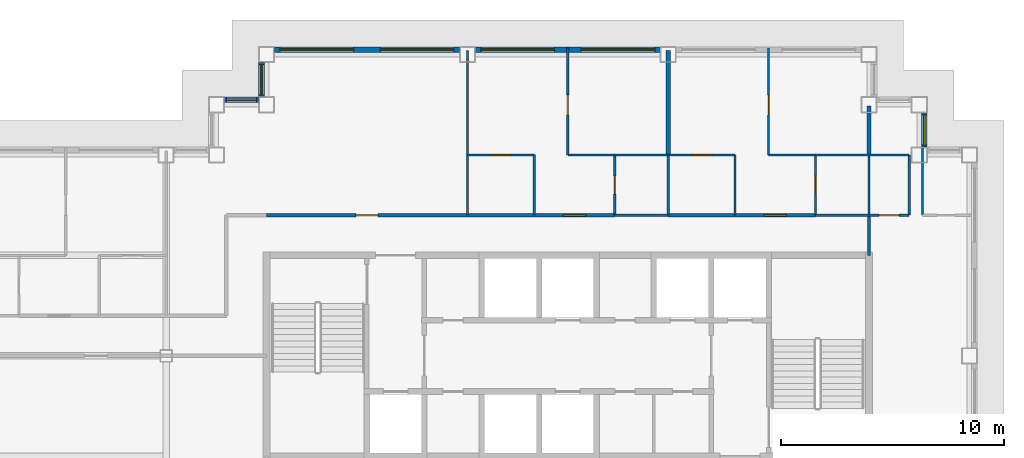
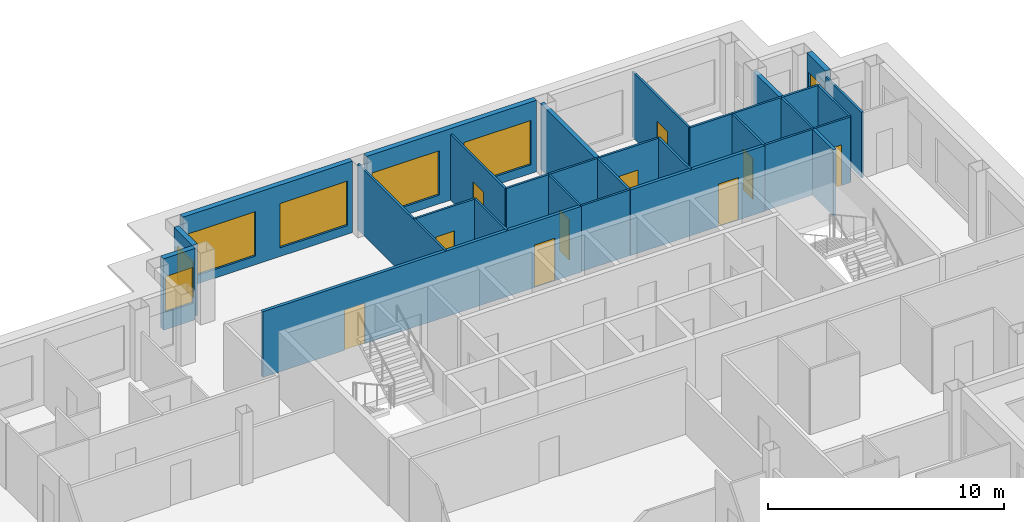
# One storey, part 7 of 12: 31 walls, 10 doors, 7 windows, 17 openings.
"""IFC4 building model written with IfcOpenShell, lengths in metres."""

from ifc_helpers import new_model, si_unit, direction, frame, frame_2d, origin, place, context, subcontext, project, spatial, rectangle, extrude, material, layer, layer_set, type_object, element, fill, save


model = new_model("IFC4")

# Units and contexts
model_context = context("Model", 3, precision=1e-05, world=origin(), true_north=direction((0.0, 1.0)))
body_context = subcontext(model_context, "Body", "Model", "MODEL_VIEW")
ifc_project = project(units=[si_unit("LENGTHUNIT", "METRE"), si_unit("AREAUNIT", "SQUARE_METRE"), si_unit("VOLUMEUNIT", "CUBIC_METRE"), si_unit("PLANEANGLEUNIT", "RADIAN"), si_unit("MASSUNIT", "GRAM", prefix="KILO")], contexts=[model_context])

# Site, building, storey
site_placement = place(None, origin())
site = spatial("IfcSite", under=ifc_project, at=site_placement, CompositionType="ELEMENT")
building_placement = place(site_placement, origin())
building = spatial("IfcBuilding", under=site, at=building_placement, Name="Caravel Reach Hotel and Residences", CompositionType="ELEMENT")
storey_placement = place(building_placement, frame((0.0, 0.0, 196.10009765625)))
storey = spatial("IfcBuildingStorey", under=building, at=storey_placement, Name="L49", CompositionType="ELEMENT", Elevation=196.10009765625)

# Walls
ifc_material_1 = material(Name="Gypsum board on steel stud", Category="steel")
ifc_layer_1 = layer(ifc_material_1, 0.10009765625)
ifc_layer_set_1 = layer_set([ifc_layer_1], Name="Bathroom pod wall 100 mm")
wall_type_1 = type_object("IfcWallType", Name="Bathroom pod wall 100 mm", PredefinedType="PARTITIONING", material=ifc_layer_set_1)
for number, where, z_axis, x_axis, name in (
    (1, (33.60009765625, 33.300048828125, 0.0), (0.0, 0.0, 1.0), (1.0, 0.0, 0.0), "L49 wall w083"),
    (2, (42.60009765625, 33.300048828125, 0.0), (0.0, 0.0, 1.0), (1.0, 0.0, 0.0), "L49 wall w084"),
    (3, (33.60009765625, 36.0, 0.0), (0.0, 0.0, 1.0), (1.0, 0.0, 0.0), "L49 wall w086"),
    (4, (42.60009765625, 36.0, 0.0), (0.0, 0.0, 1.0), (1.0, 0.0, 0.0), "L49 wall w087"),
):
    element("IfcWall", number, at=place(storey_placement, frame(where, z_axis=z_axis, x_axis=x_axis)), inside=storey, type_object=wall_type_1, Name=name, PredefinedType="PARTITIONING", context=body_context, shape_type="SweptSolid", body=[
        extrude(rectangle(XDim=2.39990234375, YDim=0.10009765625, at=frame_2d((1.199951171875, 0.0))), origin(), (0.0, 0.0, 1.0), 3.39990234375),
    ])

# Wall, opening, door
wall_1_placement = place(storey_placement, frame((33.60009765625, 33.300048828125, 0.0), z_axis=(0.0, 0.0, 1.0), x_axis=(0.0, 1.0, 0.0)))
wall_1 = element("IfcWall", 5, at=wall_1_placement, inside=storey, type_object=wall_type_1, Name="L49 wall w098", PredefinedType="PARTITIONING", context=body_context, shape_type="SweptSolid", body=[
    extrude(rectangle(XDim=2.699951171875, YDim=0.10009765625, at=frame_2d((1.35009765625, 0.0))), origin(), (0.0, 0.0, 1.0), 3.39990234375),
])
opening_1_placement = place(wall_1_placement, frame((0.949951171875, 0.0, 0.0)))
opening_1 = element("IfcOpeningElement", 6, at=opening_1_placement, cuts=wall_1, Name="Opening D49-020", PredefinedType="OPENING", context=body_context, shape_type="SweptSolid", body=[
    extrude(rectangle(XDim=0.800048828125, YDim=2.10009765625, at=frame_2d((0.39990234375, 1.050048828125))), frame((0.0, 0.06005859375, 0.0), z_axis=(0.0, -1.0, 0.0), x_axis=(1.0, 0.0, 0.0)), (0.0, 0.0, 1.0), 0.1201171875),
])
ifc_material_2 = material(Name="Timber and steel door leaf", Category="steel")
door_type_1 = type_object("IfcDoorType", Name="Bathroom door 800 x 2100", OperationType="SINGLE_SWING_LEFT", PredefinedType="DOOR", material=ifc_material_2)
door_1_placement = place(opening_1_placement, origin())
door_1 = element("IfcDoor", 7, at=door_1_placement, inside=storey, type_object=door_type_1, Name="door D49-020", OperationType="SINGLE_SWING_LEFT", OverallHeight=2.10009765625, OverallWidth=0.800048828125, PredefinedType="DOOR", context=body_context, shape_type="SweptSolid", body=[
    extrude(rectangle(XDim=0.800048828125, YDim=2.10009765625, at=frame_2d((0.39990234375, 1.050048828125))), frame((0.0, 0.02490234375, 0.0), z_axis=(0.0, -1.0, 0.0), x_axis=(1.0, 0.0, 0.0)), (0.0, 0.0, 1.0), 0.050048828125),
])
fill(opening_1, door_1)

# Wall
wall_2_placement = place(storey_placement, frame((36.0, 33.300048828125, 0.0), z_axis=(0.0, 0.0, 1.0), x_axis=(0.0, 1.0, 0.0)))
element("IfcWall", 8, at=wall_2_placement, inside=storey, type_object=wall_type_1, Name="L49 wall w099", PredefinedType="PARTITIONING", context=body_context, shape_type="SweptSolid", body=[
    extrude(rectangle(XDim=2.699951171875, YDim=0.10009765625, at=frame_2d((1.35009765625, 0.0))), origin(), (0.0, 0.0, 1.0), 3.39990234375),
])

# Wall, opening, door
wall_3_placement = place(storey_placement, frame((42.60009765625, 33.300048828125, 0.0), z_axis=(0.0, 0.0, 1.0), x_axis=(0.0, 1.0, 0.0)))
wall_3 = element("IfcWall", 9, at=wall_3_placement, inside=storey, type_object=wall_type_1, Name="L49 wall w104", PredefinedType="PARTITIONING", context=body_context, shape_type="SweptSolid", body=[
    extrude(rectangle(XDim=2.699951171875, YDim=0.10009765625, at=frame_2d((1.35009765625, 0.0))), origin(), (0.0, 0.0, 1.0), 3.39990234375),
])
opening_2_placement = place(wall_3_placement, frame((0.949951171875, 0.0, 0.0)))
opening_2 = element("IfcOpeningElement", 10, at=opening_2_placement, cuts=wall_3, Name="Opening D49-024", PredefinedType="OPENING", context=body_context, shape_type="SweptSolid", body=[
    extrude(rectangle(XDim=0.800048828125, YDim=2.10009765625, at=frame_2d((0.39990234375, 1.050048828125))), frame((0.0, 0.06005859375, 0.0), z_axis=(0.0, -1.0, 0.0), x_axis=(1.0, 0.0, 0.0)), (0.0, 0.0, 1.0), 0.1201171875),
])
door_2_placement = place(opening_2_placement, origin())
door_2 = element("IfcDoor", 11, at=door_2_placement, inside=storey, type_object=door_type_1, Name="door D49-024", OperationType="SINGLE_SWING_RIGHT", OverallHeight=2.10009765625, OverallWidth=0.800048828125, PredefinedType="DOOR", context=body_context, shape_type="SweptSolid", body=[
    extrude(rectangle(XDim=0.800048828125, YDim=2.10009765625, at=frame_2d((0.39990234375, 1.050048828125))), frame((0.0, 0.02490234375, 0.0), z_axis=(0.0, -1.0, 0.0), x_axis=(1.0, 0.0, 0.0)), (0.0, 0.0, 1.0), 0.050048828125),
])
fill(opening_2, door_2)

# Walls
wall_4_placement = place(storey_placement, frame((45.0, 33.300048828125, 0.0), z_axis=(0.0, 0.0, 1.0), x_axis=(0.0, 1.0, 0.0)))
element("IfcWall", 12, at=wall_4_placement, inside=storey, type_object=wall_type_1, Name="L49 wall w105", PredefinedType="PARTITIONING", context=body_context, shape_type="SweptSolid", body=[
    extrude(rectangle(XDim=2.699951171875, YDim=0.10009765625, at=frame_2d((1.35009765625, 0.0))), origin(), (0.0, 0.0, 1.0), 3.39990234375),
])
wall_5_placement = place(storey_placement, frame((47.39990234375, 33.300048828125, 0.0), z_axis=(0.0, 0.0, 1.0), x_axis=(0.0, 1.0, 0.0)))
element("IfcWall", 13, at=wall_5_placement, inside=storey, type_object=wall_type_1, Name="L49 wall w106", PredefinedType="PARTITIONING", context=body_context, shape_type="SweptSolid", body=[
    extrude(rectangle(XDim=3.050048828125, YDim=0.10009765625, at=frame_2d((1.52490234375, 0.0))), origin(), (0.0, 0.0, 1.0), 3.39990234375),
])

# Wall, openings, doors
ifc_material_3 = material(Name="Gypsum board on steel stud, fire-rated", Category="steel")
ifc_layer_2 = layer(ifc_material_3, 0.14990234375)
ifc_layer_set_2 = layer_set([ifc_layer_2], Name="Corridor wall 150 mm EI 60")
wall_type_2 = type_object("IfcWallType", Name="Corridor wall 150 mm EI 60", PredefinedType="PARTITIONING", material=ifc_layer_set_2)
wall_6_placement = place(storey_placement, frame((18.0, 33.300048828125, 0.0), z_axis=(0.0, 0.0, 1.0), x_axis=(1.0, 0.0, 0.0)))
wall_6 = element("IfcWall", 14, at=wall_6_placement, inside=storey, type_object=wall_type_2, Name="L49 wall w012", PredefinedType="PARTITIONING", context=body_context, shape_type="SweptSolid", body=[
    extrude(rectangle(XDim=15.60009765625, YDim=0.14990234375, at=frame_2d((7.800048828125, 0.0))), origin(), (0.0, 0.0, 1.0), 3.39990234375),
])
opening_3_placement = place(wall_6_placement, frame((4.0, 0.0, 0.0)))
opening_3 = element("IfcOpeningElement", 15, at=opening_3_placement, cuts=wall_6, Name="Opening D49-017", PredefinedType="OPENING", context=body_context, shape_type="SweptSolid", body=[
    extrude(rectangle(XDim=1.0, YDim=2.10009765625, at=frame_2d((0.5, 1.050048828125))), frame((0.0, 0.0849609375, 0.0), z_axis=(0.0, -1.0, 0.0), x_axis=(1.0, 0.0, 0.0)), (0.0, 0.0, 1.0), 0.169921875),
])
opening_4_placement = place(wall_6_placement, frame((13.300048828125, 0.0, 0.0)))
opening_4 = element("IfcOpeningElement", 16, at=opening_4_placement, cuts=wall_6, Name="Opening D49-018", PredefinedType="OPENING", context=body_context, shape_type="SweptSolid", body=[
    extrude(rectangle(XDim=1.0, YDim=2.199951171875, at=frame_2d((0.5, 1.10009765625))), frame((0.0, 0.0849609375, 0.0), z_axis=(0.0, -1.0, 0.0), x_axis=(1.0, 0.0, 0.0)), (0.0, 0.0, 1.0), 0.169921875),
])
ifc_material_4 = material(Name="Steel fire door leaf", Category="steel")
door_type_2 = type_object("IfcDoorType", Name="Fire door 1000 x 2100 EI 60", OperationType="SINGLE_SWING_LEFT", PredefinedType="DOOR", material=ifc_material_4)
door_3_placement = place(opening_3_placement, origin())
door_3 = element("IfcDoor", 17, at=door_3_placement, inside=storey, type_object=door_type_2, Name="door D49-017", OperationType="SINGLE_SWING_LEFT", OverallHeight=2.10009765625, OverallWidth=1.0, PredefinedType="DOOR", context=body_context, shape_type="SweptSolid", body=[
    extrude(rectangle(XDim=1.0, YDim=2.10009765625, at=frame_2d((0.5, 1.050048828125))), frame((0.0, 0.02490234375, 0.0), z_axis=(0.0, -1.0, 0.0), x_axis=(1.0, 0.0, 0.0)), (0.0, 0.0, 1.0), 0.050048828125),
])
fill(opening_3, door_3)
ifc_material_5 = material(Name="Steel fire door leaf", Category="steel")
door_type_3 = type_object("IfcDoorType", Name="Flat entrance door 1000 x 2200 EI 60", OperationType="SINGLE_SWING_LEFT", PredefinedType="DOOR", material=ifc_material_5)
door_4_placement = place(opening_4_placement, origin())
door_4 = element("IfcDoor", 18, at=door_4_placement, inside=storey, type_object=door_type_3, Name="door D49-018", OperationType="SINGLE_SWING_RIGHT", OverallHeight=2.199951171875, OverallWidth=1.0, PredefinedType="DOOR", context=body_context, shape_type="SweptSolid", body=[
    extrude(rectangle(XDim=1.0, YDim=2.199951171875, at=frame_2d((0.5, 1.10009765625))), frame((0.0, 0.02490234375, 0.0), z_axis=(0.0, -1.0, 0.0), x_axis=(1.0, 0.0, 0.0)), (0.0, 0.0, 1.0), 0.050048828125),
])
fill(opening_4, door_4)

# Wall, opening, door
wall_7_placement = place(storey_placement, frame((36.0, 33.300048828125, 0.0), z_axis=(0.0, 0.0, 1.0), x_axis=(1.0, 0.0, 0.0)))
wall_7 = element("IfcWall", 19, at=wall_7_placement, inside=storey, type_object=wall_type_2, Name="L49 wall w016", PredefinedType="PARTITIONING", context=body_context, shape_type="SweptSolid", body=[
    extrude(rectangle(XDim=6.60009765625, YDim=0.14990234375, at=frame_2d((3.300048828125, 0.0))), origin(), (0.0, 0.0, 1.0), 3.39990234375),
])
opening_5_placement = place(wall_7_placement, frame((4.300048828125, 0.0, 0.0)))
opening_5 = element("IfcOpeningElement", 20, at=opening_5_placement, cuts=wall_7, Name="Opening D49-022", PredefinedType="OPENING", context=body_context, shape_type="SweptSolid", body=[
    extrude(rectangle(XDim=1.0, YDim=2.199951171875, at=frame_2d((0.5, 1.10009765625))), frame((0.0, 0.0849609375, 0.0), z_axis=(0.0, -1.0, 0.0), x_axis=(1.0, 0.0, 0.0)), (0.0, 0.0, 1.0), 0.169921875),
])
door_5_placement = place(opening_5_placement, origin())
door_5 = element("IfcDoor", 21, at=door_5_placement, inside=storey, type_object=door_type_3, Name="door D49-022", OperationType="SINGLE_SWING_LEFT", OverallHeight=2.199951171875, OverallWidth=1.0, PredefinedType="DOOR", context=body_context, shape_type="SweptSolid", body=[
    extrude(rectangle(XDim=1.0, YDim=2.199951171875, at=frame_2d((0.5, 1.10009765625))), frame((0.0, 0.02490234375, 0.0), z_axis=(0.0, -1.0, 0.0), x_axis=(1.0, 0.0, 0.0)), (0.0, 0.0, 1.0), 0.050048828125),
])
fill(opening_5, door_5)

# Wall
wall_8_placement = place(storey_placement, frame((45.0, 31.5, 0.0), z_axis=(0.0, 0.0, 1.0), x_axis=(0.0, 1.0, 0.0)))
element("IfcWall", 22, at=wall_8_placement, inside=storey, type_object=wall_type_2, Name="L49 wall w027", PredefinedType="PARTITIONING", context=body_context, shape_type="SweptSolid", body=[
    extrude(rectangle(XDim=1.800048828125, YDim=0.14990234375, at=frame_2d((0.89990234375, 0.0))), origin(), (0.0, 0.0, 1.0), 3.39990234375),
])

# Wall, opening, window
ifc_material_6 = material(Name="Insulated rainscreen wall, aluminium cladding", Category="aluminium")
ifc_layer_3 = layer(ifc_material_6, 0.25)
ifc_layer_set_3 = layer_set([ifc_layer_3], Name="EW1 Tower rainscreen wall")
wall_type_3 = type_object("IfcWallType", Name="EW1 Tower rainscreen wall", PredefinedType="SOLIDWALL", material=ifc_layer_set_3)
wall_9_placement = place(storey_placement, frame((47.47509765625, 36.35009765625, 0.0), z_axis=(0.0, 0.0, 1.0), x_axis=(0.0, 1.0, 0.0)))
wall_9 = element("IfcWall", 23, at=wall_9_placement, inside=storey, type_object=wall_type_3, Name="External wall L49 E8.1", PredefinedType="SOLIDWALL", context=body_context, shape_type="SweptSolid", body=[
    extrude(rectangle(XDim=1.5498046875, YDim=0.25, at=frame_2d((0.77490234375, 0.0))), origin(), (0.0, 0.0, 1.0), 3.699951171875),
])
opening_6_placement = place(wall_9_placement, frame((0.10009765625, 0.0, 0.89990234375)))
opening_6 = element("IfcOpeningElement", 24, at=opening_6_placement, cuts=wall_9, Name="Opening WN21", PredefinedType="OPENING", context=body_context, shape_type="SweptSolid", body=[
    extrude(rectangle(XDim=1.35009765625, YDim=1.85009765625, at=frame_2d((0.675048828125, 0.925048828125))), frame((0.0, 0.135009765625, 0.0), z_axis=(0.0, -1.0, 0.0), x_axis=(1.0, 0.0, 0.0)), (0.0, 0.0, 1.0), 0.27001953125),
])
ifc_material_7 = material(Name="Dark low-e glazing in black aluminium frame", Category="aluminium")
window_type_1 = type_object("IfcWindowType", Name="Residence bedroom window 1350 x 1850", PartitioningType="SINGLE_PANEL", PredefinedType="WINDOW", material=ifc_material_7)
window_1_placement = place(opening_6_placement, origin())
window_1 = element("IfcWindow", 25, at=window_1_placement, inside=storey, type_object=window_type_1, Name="Window L49 E8.1.1", OverallHeight=1.85009765625, OverallWidth=1.35009765625, PartitioningType="SINGLE_PANEL", PredefinedType="WINDOW", context=body_context, shape_type="SweptSolid", body=[
    extrude(rectangle(XDim=1.35009765625, YDim=1.85009765625, at=frame_2d((0.675048828125, 0.925048828125))), frame((0.0, 0.030029296875, 0.0), z_axis=(0.0, -1.0, 0.0), x_axis=(1.0, 0.0, 0.0)), (0.0, 0.0, 1.0), 0.06005859375),
])
fill(opening_6, window_1)

# Wall, openings, windows
wall_10_placement = place(storey_placement, frame((35.64990234375, 40.72509765625, 0.0), z_axis=(0.0, 0.0, 1.0), x_axis=(-1.0, 0.0, 0.0)))
wall_10 = element("IfcWall", 26, at=wall_10_placement, inside=storey, type_object=wall_type_3, Name="External wall L49 N11.2", PredefinedType="SOLIDWALL", context=body_context, shape_type="SweptSolid", body=[
    extrude(rectangle(XDim=8.2998046875, YDim=0.25, at=frame_2d((4.14990234375, 0.0))), origin(), (0.0, 0.0, 1.0), 3.699951171875),
])
opening_7_placement = place(wall_10_placement, frame((0.25, 0.0, 0.449951171875)))
opening_7 = element("IfcOpeningElement", 27, at=opening_7_placement, cuts=wall_10, Name="Opening WN15", PredefinedType="OPENING", context=body_context, shape_type="SweptSolid", body=[
    extrude(rectangle(XDim=3.300048828125, YDim=2.300048828125, at=frame_2d((1.64990234375, 1.14990234375))), frame((0.0, 0.135009765625, 0.0), z_axis=(0.0, -1.0, 0.0), x_axis=(1.0, 0.0, 0.0)), (0.0, 0.0, 1.0), 0.27001953125),
])
opening_8_placement = place(wall_10_placement, frame((4.75, 0.0, 0.449951171875)))
opening_8 = element("IfcOpeningElement", 28, at=opening_8_placement, cuts=wall_10, Name="Opening WN15", PredefinedType="OPENING", context=body_context, shape_type="SweptSolid", body=[
    extrude(rectangle(XDim=3.300048828125, YDim=2.300048828125, at=frame_2d((1.64990234375, 1.14990234375))), frame((0.0, 0.135009765625, 0.0), z_axis=(0.0, -1.0, 0.0), x_axis=(1.0, 0.0, 0.0)), (0.0, 0.0, 1.0), 0.27001953125),
])
ifc_material_8 = material(Name="Dark low-e glazing in black aluminium frame", Category="aluminium")
window_type_2 = type_object("IfcWindowType", Name="Residence living window 3300 x 2300", PartitioningType="SINGLE_PANEL", PredefinedType="WINDOW", material=ifc_material_8)
window_2_placement = place(opening_7_placement, origin())
window_2 = element("IfcWindow", 29, at=window_2_placement, inside=storey, type_object=window_type_2, Name="Window L49 N11.2.1", OverallHeight=2.300048828125, OverallWidth=3.300048828125, PartitioningType="SINGLE_PANEL", PredefinedType="WINDOW", context=body_context, shape_type="SweptSolid", body=[
    extrude(rectangle(XDim=3.300048828125, YDim=2.300048828125, at=frame_2d((1.64990234375, 1.14990234375))), frame((0.0, 0.030029296875, 0.0), z_axis=(0.0, -1.0, 0.0), x_axis=(1.0, 0.0, 0.0)), (0.0, 0.0, 1.0), 0.06005859375),
])
fill(opening_7, window_2)
window_3_placement = place(opening_8_placement, origin())
window_3 = element("IfcWindow", 30, at=window_3_placement, inside=storey, type_object=window_type_2, Name="Window L49 N11.2.2", OverallHeight=2.300048828125, OverallWidth=3.300048828125, PartitioningType="SINGLE_PANEL", PredefinedType="WINDOW", context=body_context, shape_type="SweptSolid", body=[
    extrude(rectangle(XDim=3.300048828125, YDim=2.300048828125, at=frame_2d((1.64990234375, 1.14990234375))), frame((0.0, 0.030029296875, 0.0), z_axis=(0.0, -1.0, 0.0), x_axis=(1.0, 0.0, 0.0)), (0.0, 0.0, 1.0), 0.06005859375),
])
fill(opening_8, window_3)

wall_11_placement = place(storey_placement, frame((26.64990234375, 40.72509765625, 0.0), z_axis=(0.0, 0.0, 1.0), x_axis=(-1.0, 0.0, 0.0)))
wall_11 = element("IfcWall", 31, at=wall_11_placement, inside=storey, type_object=wall_type_3, Name="External wall L49 N11.3", PredefinedType="SOLIDWALL", context=body_context, shape_type="SweptSolid", body=[
    extrude(rectangle(XDim=8.2998046875, YDim=0.25, at=frame_2d((4.14990234375, 0.0))), origin(), (0.0, 0.0, 1.0), 3.699951171875),
])
opening_9_placement = place(wall_11_placement, frame((0.25, 0.0, 0.449951171875)))
opening_9 = element("IfcOpeningElement", 32, at=opening_9_placement, cuts=wall_11, Name="Opening WN15", PredefinedType="OPENING", context=body_context, shape_type="SweptSolid", body=[
    extrude(rectangle(XDim=3.300048828125, YDim=2.300048828125, at=frame_2d((1.64990234375, 1.14990234375))), frame((0.0, 0.135009765625, 0.0), z_axis=(0.0, -1.0, 0.0), x_axis=(1.0, 0.0, 0.0)), (0.0, 0.0, 1.0), 0.27001953125),
])
opening_10_placement = place(wall_11_placement, frame((4.75, 0.0, 0.449951171875)))
opening_10 = element("IfcOpeningElement", 33, at=opening_10_placement, cuts=wall_11, Name="Opening WN15", PredefinedType="OPENING", context=body_context, shape_type="SweptSolid", body=[
    extrude(rectangle(XDim=3.300048828125, YDim=2.300048828125, at=frame_2d((1.64990234375, 1.14990234375))), frame((0.0, 0.135009765625, 0.0), z_axis=(0.0, -1.0, 0.0), x_axis=(1.0, 0.0, 0.0)), (0.0, 0.0, 1.0), 0.27001953125),
])
window_4_placement = place(opening_9_placement, origin())
window_4 = element("IfcWindow", 34, at=window_4_placement, inside=storey, type_object=window_type_2, Name="Window L49 N11.3.1", OverallHeight=2.300048828125, OverallWidth=3.300048828125, PartitioningType="SINGLE_PANEL", PredefinedType="WINDOW", context=body_context, shape_type="SweptSolid", body=[
    extrude(rectangle(XDim=3.300048828125, YDim=2.300048828125, at=frame_2d((1.64990234375, 1.14990234375))), frame((0.0, 0.030029296875, 0.0), z_axis=(0.0, -1.0, 0.0), x_axis=(1.0, 0.0, 0.0)), (0.0, 0.0, 1.0), 0.06005859375),
])
fill(opening_9, window_4)
window_5_placement = place(opening_10_placement, origin())
window_5 = element("IfcWindow", 35, at=window_5_placement, inside=storey, type_object=window_type_2, Name="Window L49 N11.3.2", OverallHeight=2.300048828125, OverallWidth=3.300048828125, PartitioningType="SINGLE_PANEL", PredefinedType="WINDOW", context=body_context, shape_type="SweptSolid", body=[
    extrude(rectangle(XDim=3.300048828125, YDim=2.300048828125, at=frame_2d((1.64990234375, 1.14990234375))), frame((0.0, 0.030029296875, 0.0), z_axis=(0.0, -1.0, 0.0), x_axis=(1.0, 0.0, 0.0)), (0.0, 0.0, 1.0), 0.06005859375),
])
fill(opening_10, window_5)

# Wall, opening, window
wall_12_placement = place(storey_placement, frame((17.77490234375, 40.14990234375, 0.0), z_axis=(0.0, 0.0, 1.0), x_axis=(0.0, -1.0, 0.0)))
wall_12 = element("IfcWall", 36, at=wall_12_placement, inside=storey, type_object=wall_type_3, Name="External wall L49 W12.1", PredefinedType="SOLIDWALL", context=body_context, shape_type="SweptSolid", body=[
    extrude(rectangle(XDim=1.5498046875, YDim=0.25, at=frame_2d((0.77490234375, 0.0))), origin(), (0.0, 0.0, 1.0), 3.699951171875),
])
opening_11_placement = place(wall_12_placement, frame((0.10009765625, 0.0, 0.89990234375)))
opening_11 = element("IfcOpeningElement", 37, at=opening_11_placement, cuts=wall_12, Name="Opening WN21", PredefinedType="OPENING", context=body_context, shape_type="SweptSolid", body=[
    extrude(rectangle(XDim=1.35009765625, YDim=1.85009765625, at=frame_2d((0.675048828125, 0.925048828125))), frame((0.0, 0.135009765625, 0.0), z_axis=(0.0, -1.0, 0.0), x_axis=(1.0, 0.0, 0.0)), (0.0, 0.0, 1.0), 0.27001953125),
])
window_6_placement = place(opening_11_placement, origin())
window_6 = element("IfcWindow", 38, at=window_6_placement, inside=storey, type_object=window_type_1, Name="Window L49 W12.1.1", OverallHeight=1.85009765625, OverallWidth=1.35009765625, PartitioningType="SINGLE_PANEL", PredefinedType="WINDOW", context=body_context, shape_type="SweptSolid", body=[
    extrude(rectangle(XDim=1.35009765625, YDim=1.85009765625, at=frame_2d((0.675048828125, 0.925048828125))), frame((0.0, 0.030029296875, 0.0), z_axis=(0.0, -1.0, 0.0), x_axis=(1.0, 0.0, 0.0)), (0.0, 0.0, 1.0), 0.06005859375),
])
fill(opening_11, window_6)

wall_13_placement = place(storey_placement, frame((17.64990234375, 38.47509765625, 0.0), z_axis=(0.0, 0.0, 1.0), x_axis=(-1.0, 0.0, 0.0)))
wall_13 = element("IfcWall", 39, at=wall_13_placement, inside=storey, type_object=wall_type_3, Name="External wall L49 N13.1", PredefinedType="SOLIDWALL", context=body_context, shape_type="SweptSolid", body=[
    extrude(rectangle(XDim=1.5498046875, YDim=0.25, at=frame_2d((0.77490234375, 0.0))), origin(), (0.0, 0.0, 1.0), 3.699951171875),
])
opening_12_placement = place(wall_13_placement, frame((0.10009765625, 0.0, 0.89990234375)))
opening_12 = element("IfcOpeningElement", 40, at=opening_12_placement, cuts=wall_13, Name="Opening WN21", PredefinedType="OPENING", context=body_context, shape_type="SweptSolid", body=[
    extrude(rectangle(XDim=1.35009765625, YDim=1.85009765625, at=frame_2d((0.675048828125, 0.925048828125))), frame((0.0, 0.135009765625, 0.0), z_axis=(0.0, -1.0, 0.0), x_axis=(1.0, 0.0, 0.0)), (0.0, 0.0, 1.0), 0.27001953125),
])
window_7_placement = place(opening_12_placement, origin())
window_7 = element("IfcWindow", 41, at=window_7_placement, inside=storey, type_object=window_type_1, Name="Window L49 N13.1.1", OverallHeight=1.85009765625, OverallWidth=1.35009765625, PartitioningType="SINGLE_PANEL", PredefinedType="WINDOW", context=body_context, shape_type="SweptSolid", body=[
    extrude(rectangle(XDim=1.35009765625, YDim=1.85009765625, at=frame_2d((0.675048828125, 0.925048828125))), frame((0.0, 0.030029296875, 0.0), z_axis=(0.0, -1.0, 0.0), x_axis=(1.0, 0.0, 0.0)), (0.0, 0.0, 1.0), 0.06005859375),
])
fill(opening_12, window_7)

# Wall, opening, door
ifc_material_9 = material(Name="Gypsum board on steel stud", Category="steel")
ifc_layer_4 = layer(ifc_material_9, 0.10009765625)
ifc_layer_set_4 = layer_set([ifc_layer_4], Name="Partition 100 mm")
wall_type_4 = type_object("IfcWallType", Name="Partition 100 mm", PredefinedType="PARTITIONING", material=ifc_layer_set_4)
wall_14_placement = place(storey_placement, frame((45.0, 33.300048828125, 0.0), z_axis=(0.0, 0.0, 1.0), x_axis=(1.0, 0.0, 0.0)))
wall_14 = element("IfcWall", 42, at=wall_14_placement, inside=storey, type_object=wall_type_4, Name="L49 wall w039", PredefinedType="PARTITIONING", context=body_context, shape_type="SweptSolid", body=[
    extrude(rectangle(XDim=1.800048828125, YDim=0.10009765625, at=frame_2d((0.89990234375, 0.0))), origin(), (0.0, 0.0, 1.0), 3.39990234375),
])
opening_13_placement = place(wall_14_placement, frame((0.449951171875, 0.0, 0.0)))
opening_13 = element("IfcOpeningElement", 43, at=opening_13_placement, cuts=wall_14, Name="Opening D49-048", PredefinedType="OPENING", context=body_context, shape_type="SweptSolid", body=[
    extrude(rectangle(XDim=0.89990234375, YDim=2.10009765625, at=frame_2d((0.449951171875, 1.050048828125))), frame((0.0, 0.06005859375, 0.0), z_axis=(0.0, -1.0, 0.0), x_axis=(1.0, 0.0, 0.0)), (0.0, 0.0, 1.0), 0.1201171875),
])
ifc_material_10 = material(Name="Timber and steel door leaf", Category="steel")
door_type_4 = type_object("IfcDoorType", Name="Door 900 x 2100 timber", OperationType="SINGLE_SWING_LEFT", PredefinedType="DOOR", material=ifc_material_10)
door_6_placement = place(opening_13_placement, origin())
door_6 = element("IfcDoor", 44, at=door_6_placement, inside=storey, type_object=door_type_4, Name="door D49-048", OperationType="SINGLE_SWING_RIGHT", OverallHeight=2.10009765625, OverallWidth=0.89990234375, PredefinedType="DOOR", context=body_context, shape_type="SweptSolid", body=[
    extrude(rectangle(XDim=0.89990234375, YDim=2.10009765625, at=frame_2d((0.449951171875, 1.050048828125))), frame((0.0, 0.02490234375, 0.0), z_axis=(0.0, -1.0, 0.0), x_axis=(1.0, 0.0, 0.0)), (0.0, 0.0, 1.0), 0.050048828125),
])
fill(opening_13, door_6)

# Wall
wall_15_placement = place(storey_placement, frame((31.5, 36.0, 0.0), z_axis=(0.0, 0.0, 1.0), x_axis=(1.0, 0.0, 0.0)))
element("IfcWall", 45, at=wall_15_placement, inside=storey, type_object=wall_type_4, Name="L49 wall w040", PredefinedType="PARTITIONING", context=body_context, shape_type="SweptSolid", body=[
    extrude(rectangle(XDim=2.10009765625, YDim=0.10009765625, at=frame_2d((1.050048828125, 0.0))), origin(), (0.0, 0.0, 1.0), 3.39990234375),
])

# Wall, opening, door
wall_16_placement = place(storey_placement, frame((27.0, 36.0, 0.0), z_axis=(0.0, 0.0, 1.0), x_axis=(1.0, 0.0, 0.0)))
wall_16 = element("IfcWall", 46, at=wall_16_placement, inside=storey, type_object=wall_type_4, Name="L49 wall w041", PredefinedType="PARTITIONING", context=body_context, shape_type="SweptSolid", body=[
    extrude(rectangle(XDim=3.0, YDim=0.10009765625, at=frame_2d((1.5, 0.0))), origin(), (0.0, 0.0, 1.0), 3.39990234375),
])
opening_14_placement = place(wall_16_placement, frame((1.050048828125, 0.0, 0.0)))
opening_14 = element("IfcOpeningElement", 47, at=opening_14_placement, cuts=wall_16, Name="Opening D49-019", PredefinedType="OPENING", context=body_context, shape_type="SweptSolid", body=[
    extrude(rectangle(XDim=0.89990234375, YDim=2.10009765625, at=frame_2d((0.449951171875, 1.050048828125))), frame((0.0, 0.06005859375, 0.0), z_axis=(0.0, -1.0, 0.0), x_axis=(1.0, 0.0, 0.0)), (0.0, 0.0, 1.0), 0.1201171875),
])
door_7_placement = place(opening_14_placement, origin())
door_7 = element("IfcDoor", 48, at=door_7_placement, inside=storey, type_object=door_type_4, Name="door D49-019", OperationType="SINGLE_SWING_LEFT", OverallHeight=2.10009765625, OverallWidth=0.89990234375, PredefinedType="DOOR", context=body_context, shape_type="SweptSolid", body=[
    extrude(rectangle(XDim=0.89990234375, YDim=2.10009765625, at=frame_2d((0.449951171875, 1.050048828125))), frame((0.0, 0.02490234375, 0.0), z_axis=(0.0, -1.0, 0.0), x_axis=(1.0, 0.0, 0.0)), (0.0, 0.0, 1.0), 0.050048828125),
])
fill(opening_14, door_7)

# Wall
wall_17_placement = place(storey_placement, frame((40.5, 36.0, 0.0), z_axis=(0.0, 0.0, 1.0), x_axis=(1.0, 0.0, 0.0)))
element("IfcWall", 49, at=wall_17_placement, inside=storey, type_object=wall_type_4, Name="L49 wall w042", PredefinedType="PARTITIONING", context=body_context, shape_type="SweptSolid", body=[
    extrude(rectangle(XDim=2.10009765625, YDim=0.10009765625, at=frame_2d((1.050048828125, 0.0))), origin(), (0.0, 0.0, 1.0), 3.39990234375),
])

# Wall, opening, door
wall_18_placement = place(storey_placement, frame((36.0, 36.0, 0.0), z_axis=(0.0, 0.0, 1.0), x_axis=(1.0, 0.0, 0.0)))
wall_18 = element("IfcWall", 50, at=wall_18_placement, inside=storey, type_object=wall_type_4, Name="L49 wall w043", PredefinedType="PARTITIONING", context=body_context, shape_type="SweptSolid", body=[
    extrude(rectangle(XDim=3.0, YDim=0.10009765625, at=frame_2d((1.5, 0.0))), origin(), (0.0, 0.0, 1.0), 3.39990234375),
])
opening_15_placement = place(wall_18_placement, frame((1.050048828125, 0.0, 0.0)))
opening_15 = element("IfcOpeningElement", 51, at=opening_15_placement, cuts=wall_18, Name="Opening D49-023", PredefinedType="OPENING", context=body_context, shape_type="SweptSolid", body=[
    extrude(rectangle(XDim=0.89990234375, YDim=2.10009765625, at=frame_2d((0.449951171875, 1.050048828125))), frame((0.0, 0.06005859375, 0.0), z_axis=(0.0, -1.0, 0.0), x_axis=(1.0, 0.0, 0.0)), (0.0, 0.0, 1.0), 0.1201171875),
])
door_8_placement = place(opening_15_placement, origin())
door_8 = element("IfcDoor", 52, at=door_8_placement, inside=storey, type_object=door_type_4, Name="door D49-023", OperationType="SINGLE_SWING_LEFT", OverallHeight=2.10009765625, OverallWidth=0.89990234375, PredefinedType="DOOR", context=body_context, shape_type="SweptSolid", body=[
    extrude(rectangle(XDim=0.89990234375, YDim=2.10009765625, at=frame_2d((0.449951171875, 1.050048828125))), frame((0.0, 0.02490234375, 0.0), z_axis=(0.0, -1.0, 0.0), x_axis=(1.0, 0.0, 0.0)), (0.0, 0.0, 1.0), 0.050048828125),
])
fill(opening_15, door_8)

# Walls
wall_19_placement = place(storey_placement, frame((45.0, 36.0, 0.0), z_axis=(0.0, 0.0, 1.0), x_axis=(1.0, 0.0, 0.0)))
element("IfcWall", 53, at=wall_19_placement, inside=storey, type_object=wall_type_4, Name="L49 wall w044", PredefinedType="PARTITIONING", context=body_context, shape_type="SweptSolid", body=[
    extrude(rectangle(XDim=1.800048828125, YDim=0.10009765625, at=frame_2d((0.89990234375, 0.0))), origin(), (0.0, 0.0, 1.0), 3.39990234375),
])
wall_20_placement = place(storey_placement, frame((27.0, 33.300048828125, 0.0), z_axis=(0.0, 0.0, 1.0), x_axis=(0.0, 1.0, 0.0)))
element("IfcWall", 54, at=wall_20_placement, inside=storey, type_object=wall_type_4, Name="L49 wall w054", PredefinedType="PARTITIONING", context=body_context, shape_type="SweptSolid", body=[
    extrude(rectangle(XDim=7.389892578125, YDim=0.10009765625, at=frame_2d((3.69482421875, 0.0))), origin(), (0.0, 0.0, 1.0), 3.39990234375),
])
wall_21_placement = place(storey_placement, frame((30.0, 33.300048828125, 0.0), z_axis=(0.0, 0.0, 1.0), x_axis=(0.0, 1.0, 0.0)))
element("IfcWall", 55, at=wall_21_placement, inside=storey, type_object=wall_type_4, Name="L49 wall w057", PredefinedType="PARTITIONING", context=body_context, shape_type="SweptSolid", body=[
    extrude(rectangle(XDim=2.699951171875, YDim=0.10009765625, at=frame_2d((1.35009765625, 0.0))), origin(), (0.0, 0.0, 1.0), 3.39990234375),
])

# Wall, opening, door
wall_22_placement = place(storey_placement, frame((31.5, 36.0, 0.0), z_axis=(0.0, 0.0, 1.0), x_axis=(0.0, 1.0, 0.0)))
wall_22 = element("IfcWall", 56, at=wall_22_placement, inside=storey, type_object=wall_type_4, Name="L49 wall w058", PredefinedType="PARTITIONING", context=body_context, shape_type="SweptSolid", body=[
    extrude(rectangle(XDim=4.7900390625, YDim=0.10009765625, at=frame_2d((2.39501953125, 0.0))), origin(), (0.0, 0.0, 1.0), 3.39990234375),
])
opening_16_placement = place(wall_22_placement, frame((1.800048828125, 0.0, 0.0)))
opening_16 = element("IfcOpeningElement", 57, at=opening_16_placement, cuts=wall_22, Name="Opening D49-021", PredefinedType="OPENING", context=body_context, shape_type="SweptSolid", body=[
    extrude(rectangle(XDim=0.89990234375, YDim=2.10009765625, at=frame_2d((0.449951171875, 1.050048828125))), frame((0.0, 0.06005859375, 0.0), z_axis=(0.0, -1.0, 0.0), x_axis=(1.0, 0.0, 0.0)), (0.0, 0.0, 1.0), 0.1201171875),
])
door_9_placement = place(opening_16_placement, origin())
door_9 = element("IfcDoor", 58, at=door_9_placement, inside=storey, type_object=door_type_4, Name="door D49-021", OperationType="SINGLE_SWING_LEFT", OverallHeight=2.10009765625, OverallWidth=0.89990234375, PredefinedType="DOOR", context=body_context, shape_type="SweptSolid", body=[
    extrude(rectangle(XDim=0.89990234375, YDim=2.10009765625, at=frame_2d((0.449951171875, 1.050048828125))), frame((0.0, 0.02490234375, 0.0), z_axis=(0.0, -1.0, 0.0), x_axis=(1.0, 0.0, 0.0)), (0.0, 0.0, 1.0), 0.050048828125),
])
fill(opening_16, door_9)

# Wall
wall_23_placement = place(storey_placement, frame((39.0, 33.300048828125, 0.0), z_axis=(0.0, 0.0, 1.0), x_axis=(0.0, 1.0, 0.0)))
element("IfcWall", 59, at=wall_23_placement, inside=storey, type_object=wall_type_4, Name="L49 wall w063", PredefinedType="PARTITIONING", context=body_context, shape_type="SweptSolid", body=[
    extrude(rectangle(XDim=2.699951171875, YDim=0.10009765625, at=frame_2d((1.35009765625, 0.0))), origin(), (0.0, 0.0, 1.0), 3.39990234375),
])

# Wall, opening, door
wall_24_placement = place(storey_placement, frame((40.5, 36.0, 0.0), z_axis=(0.0, 0.0, 1.0), x_axis=(0.0, 1.0, 0.0)))
wall_24 = element("IfcWall", 60, at=wall_24_placement, inside=storey, type_object=wall_type_4, Name="L49 wall w065", PredefinedType="PARTITIONING", context=body_context, shape_type="SweptSolid", body=[
    extrude(rectangle(XDim=4.7900390625, YDim=0.10009765625, at=frame_2d((2.39501953125, 0.0))), origin(), (0.0, 0.0, 1.0), 3.39990234375),
])
opening_17_placement = place(wall_24_placement, frame((1.800048828125, 0.0, 0.0)))
opening_17 = element("IfcOpeningElement", 61, at=opening_17_placement, cuts=wall_24, Name="Opening D49-025", PredefinedType="OPENING", context=body_context, shape_type="SweptSolid", body=[
    extrude(rectangle(XDim=0.89990234375, YDim=2.10009765625, at=frame_2d((0.449951171875, 1.050048828125))), frame((0.0, 0.06005859375, 0.0), z_axis=(0.0, -1.0, 0.0), x_axis=(1.0, 0.0, 0.0)), (0.0, 0.0, 1.0), 0.1201171875),
])
door_10_placement = place(opening_17_placement, origin())
door_10 = element("IfcDoor", 62, at=door_10_placement, inside=storey, type_object=door_type_4, Name="door D49-025", OperationType="SINGLE_SWING_RIGHT", OverallHeight=2.10009765625, OverallWidth=0.89990234375, PredefinedType="DOOR", context=body_context, shape_type="SweptSolid", body=[
    extrude(rectangle(XDim=0.89990234375, YDim=2.10009765625, at=frame_2d((0.449951171875, 1.050048828125))), frame((0.0, 0.02490234375, 0.0), z_axis=(0.0, -1.0, 0.0), x_axis=(1.0, 0.0, 0.0)), (0.0, 0.0, 1.0), 0.050048828125),
])
fill(opening_17, door_10)

# Walls
wall_25_placement = place(storey_placement, frame((46.800048828125, 33.300048828125, 0.0), z_axis=(0.0, 0.0, 1.0), x_axis=(0.0, 1.0, 0.0)))
element("IfcWall", 63, at=wall_25_placement, inside=storey, type_object=wall_type_4, Name="L49 wall w068", PredefinedType="PARTITIONING", context=body_context, shape_type="SweptSolid", body=[
    extrude(rectangle(XDim=2.699951171875, YDim=0.10009765625, at=frame_2d((1.35009765625, 0.0))), origin(), (0.0, 0.0, 1.0), 3.39990234375),
])
ifc_material_11 = material(Name="Autoclaved aerated block wall")
ifc_layer_5 = layer(ifc_material_11, 0.199951171875)
ifc_layer_set_5 = layer_set([ifc_layer_5], Name="Party wall 200 mm EI 60")
wall_type_5 = type_object("IfcWallType", Name="Party wall 200 mm EI 60", PredefinedType="PARTITIONING", material=ifc_layer_set_5)
wall_26_placement = place(storey_placement, frame((36.0, 36.0, 0.0), z_axis=(0.0, 0.0, 1.0), x_axis=(0.0, 1.0, 0.0)))
element("IfcWall", 64, at=wall_26_placement, inside=storey, type_object=wall_type_5, Name="L49 wall w074", PredefinedType="PARTITIONING", context=body_context, shape_type="SweptSolid", body=[
    extrude(rectangle(XDim=4.68994140625, YDim=0.199951171875, at=frame_2d((2.344970703125, 0.0))), origin(), (0.0, 0.0, 1.0), 3.39990234375),
])
wall_27_placement = place(storey_placement, frame((45.0, 36.0, 0.0), z_axis=(0.0, 0.0, 1.0), x_axis=(0.0, 1.0, 0.0)))
element("IfcWall", 65, at=wall_27_placement, inside=storey, type_object=wall_type_5, Name="L49 wall w076", PredefinedType="PARTITIONING", context=body_context, shape_type="SweptSolid", body=[
    extrude(rectangle(XDim=2.199951171875, YDim=0.199951171875, at=frame_2d((1.10009765625, 0.0))), origin(), (0.0, 0.0, 1.0), 3.39990234375),
])

save(model, "model.ifc")
